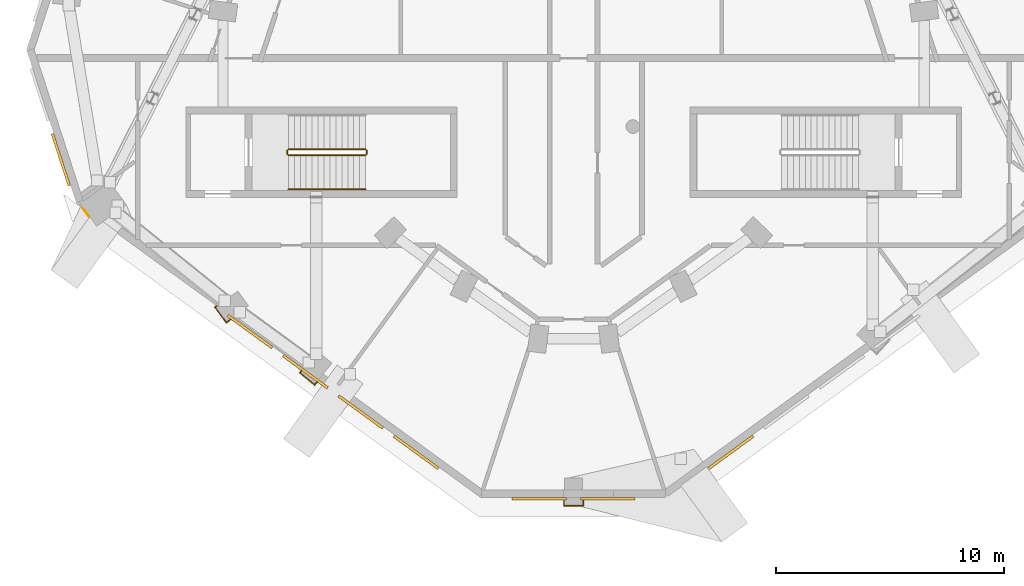
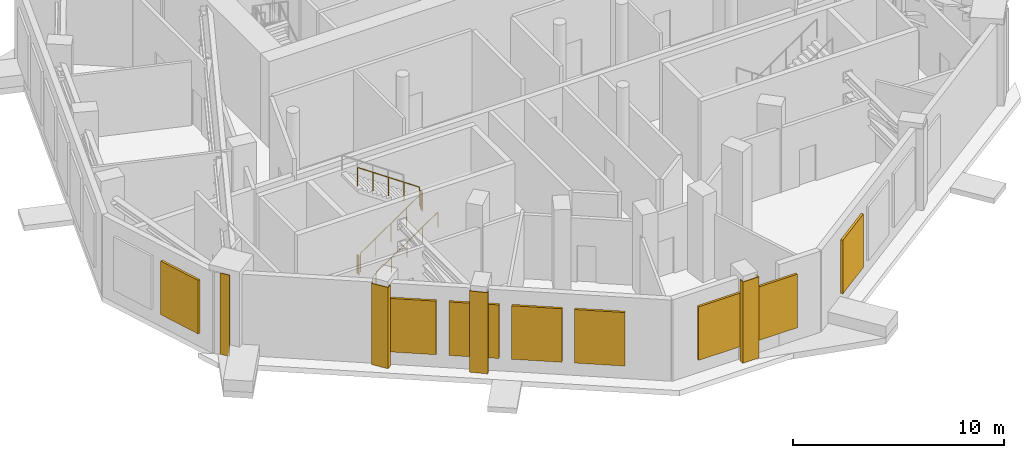
# One storey, part 12 of 16: 8 shading devices, 5 railings, 4 coverings.
"""IFC4 building model written with IfcOpenShell, lengths in metres."""

from ifc_helpers import new_model, si_unit, direction, frame, origin, origin_2d, place, context, subcontext, project, spatial, polyline, rectangle, circle, outline, extrude, material, layer, layer_set, type_object, element, save


model = new_model("IFC4")

# Units and contexts
model_context = context("Model", 3, precision=1e-05, world=origin(), true_north=direction((0.0, 1.0)))
body_context = subcontext(model_context, "Body", "Model", "MODEL_VIEW")
ifc_project = project(units=[si_unit("LENGTHUNIT", "METRE"), si_unit("AREAUNIT", "SQUARE_METRE"), si_unit("VOLUMEUNIT", "CUBIC_METRE"), si_unit("PLANEANGLEUNIT", "RADIAN"), si_unit("MASSUNIT", "GRAM", prefix="KILO")], contexts=[model_context])

# Site, building, storey
site_placement = place(None, origin())
site = spatial("IfcSite", under=ifc_project, at=site_placement, CompositionType="ELEMENT")
building_placement = place(site_placement, origin())
building = spatial("IfcBuilding", under=site, at=building_placement, Name="White Candle Pilgrim Tower", CompositionType="ELEMENT")
storey_placement = place(building_placement, frame((0.0, 0.0, 243.300048828125)))
storey = spatial("IfcBuildingStorey", under=building, at=storey_placement, Name="L57", CompositionType="ELEMENT", Elevation=243.300048828125)

# Shading devices
ifc_material_1 = material(Name="Aluminium", Category="aluminium")
shading_device_type = type_object("IfcShadingDeviceType", Name="Plant louvre LV2 2400x3100 aluminium framed", PredefinedType="USERDEFINED", material=ifc_material_1)
for number, where, z_axis, x_axis, name in (
    (1, (47.520263671875, 59.545166015625, 0.7998046875), (0.0, 0.0, 1.0), (0.309016949491, -0.951056530879, 0.0), "Plant louvre L57 W chamfer 2"),
    (2, (55.81640625, 52.012451171875, 0.7998046875), (0.0, 0.0, 1.0), (0.809017003156, -0.587785240206, 0.0), "Plant louvre L57 SW 3"),
    (3, (58.243408203125, 50.2490234375, 0.7998046875), (0.0, 0.0, 1.0), (0.809017003156, -0.587785240206, 0.0), "Plant louvre L57 SW 4"),
    (4, (60.67041015625, 48.485595703125, 0.7998046875), (0.0, 0.0, 1.0), (0.809017003156, -0.587785240206, 0.0), "Plant louvre L57 SW 5"),
    (5, (63.09765625, 46.722412109375, 0.7998046875), (0.0, 0.0, 1.0), (0.809017003156, -0.587785240206, 0.0), "Plant louvre L57 SW 6"),
    (6, (68.5, 44.686767578125, 0.7998046875), (0.0, 0.0, 1.0), (1.0, 0.0, 0.0), "Plant louvre L57 S chamfer 1"),
    (7, (71.5, 44.686767578125, 0.7998046875), (0.0, 0.0, 1.0), (1.0, 0.0, 0.0), "Plant louvre L57 S chamfer 2"),
    (8, (76.90234375, 46.722412109375, 0.7998046875), (0.0, 0.0, 1.0), (0.809017003156, 0.587785240206, 0.0), "Plant louvre L57 SE 1"),
):
    element("IfcShadingDevice", number, at=place(storey_placement, frame(where, z_axis=z_axis, x_axis=x_axis)), inside=storey, type_object=shading_device_type, Name=name, ObjectType="LOUVRE", PredefinedType="USERDEFINED", context=body_context, shape_type="SweptSolid", body=[
        extrude(rectangle(XDim=2.39990234375, YDim=0.1201171875, at=origin_2d()), origin(), (0.0, 0.0, 1.0), 3.10009765625),
    ])

# Coverings
ifc_material_2 = material(Name="Precast concrete C40/50", Category="concrete")
ifc_layer = layer(ifc_material_2, 0.0400390625)
ifc_layer_set = layer_set([ifc_layer], Name="Precast column cover CL4 40")
covering_type = type_object("IfcCoveringType", Name="Precast column cover CL4 40", PredefinedType="CLADDING", material=ifc_layer_set)
covering_1_placement = place(storey_placement, origin())
element("IfcCovering", 9, at=covering_1_placement, inside=storey, type_object=covering_type, Name="Column cover L57 T01", PredefinedType="CLADDING", context=body_context, shape_type="SweptSolid", body=[
    extrude(outline(polyline([(48.766357421875, 57.01416015625), (48.466796875, 57.42626953125), (48.571533203125, 57.35009765625), (48.791015625, 57.04833984375), (48.766357421875, 57.01416015625)])), origin(), (0.0, 0.0, 1.0), 4.699951171875),
])
covering_2_placement = place(storey_placement, origin())
element("IfcCovering", 10, at=covering_2_placement, inside=storey, type_object=covering_type, Name="Column cover L57 T02", PredefinedType="CLADDING", context=body_context, shape_type="SweptSolid", body=[
    extrude(outline(polyline([(54.9912109375, 52.53759765625), (54.771484375, 52.377685546875), (54.253662109375, 53.089111328125), (54.344970703125, 53.155517578125), (54.37890625, 53.130859375), (54.3095703125, 53.080322265625), (54.7802734375, 52.43359375), (54.957275390625, 52.5625), (54.9912109375, 52.53759765625)])), origin(), (0.0, 0.0, 1.0), 4.699951171875),
])
covering_3_placement = place(storey_placement, origin())
element("IfcCovering", 11, at=covering_3_placement, inside=storey, type_object=covering_type, Name="Column cover L57 T03", PredefinedType="CLADDING", context=body_context, shape_type="SweptSolid", body=[
    extrude(outline(polyline([(58.7705078125, 49.7919921875), (58.649658203125, 49.646484375), (57.97265625, 50.208740234375), (58.056884765625, 50.310302734375), (58.08935546875, 50.286865234375), (58.029052734375, 50.214111328125), (58.644287109375, 49.702880859375), (58.738037109375, 49.815673828125), (58.7705078125, 49.7919921875)])), origin(), (0.0, 0.0, 1.0), 4.699951171875),
])
covering_4_placement = place(storey_placement, origin())
element("IfcCovering", 12, at=covering_4_placement, inside=storey, type_object=covering_type, Name="Column cover L57 T04", PredefinedType="CLADDING", context=body_context, shape_type="SweptSolid", body=[
    extrude(outline(polyline([(70.43994140625, 44.626708984375), (70.43994140625, 44.360107421875), (69.56005859375, 44.360107421875), (69.56005859375, 44.626708984375), (69.60009765625, 44.626708984375), (69.60009765625, 44.39990234375), (70.39990234375, 44.39990234375), (70.39990234375, 44.626708984375), (70.43994140625, 44.626708984375)])), origin(), (0.0, 0.0, 1.0), 4.699951171875),
])

# Railings
ifc_material_3 = material(Name="Stainless steel", Category="steel")
railing_type_1 = type_object("IfcRailingType", Name="Stair guard stainless steel 1100 mm", PredefinedType="GUARDRAIL", material=ifc_material_3)
railing_1_placement = place(storey_placement, frame((57.5, 59.75, 0.178466796875)))
element("IfcRailing", 13, at=railing_1_placement, inside=storey, type_object=railing_type_1, Name="L57 ST5 stair guard 1", PredefinedType="GUARDRAIL", context=body_context, shape_type="SweptSolid", body=[
    extrude(circle(Radius=0.02392578125, at=origin_2d()), frame((0.0, 0.0, 1.076171875), z_axis=(0.824285065979, 0.0, 0.566174999451), x_axis=(0.0, 1.0, 0.0)), (0.0, 0.0, 1.0), 4.100341796875),
    extrude(circle(Radius=0.02099609375, at=origin_2d()), origin(), (0.0, 0.0, 1.0), 1.052001953125),
    extrude(circle(Radius=0.02099609375, at=origin_2d()), frame((0.844970703125, 0.0, 0.580322265625)), (0.0, 0.0, 1.0), 1.052001953125),
    extrude(circle(Radius=0.02099609375, at=origin_2d()), frame((1.68994140625, 0.0, 1.16064453125)), (0.0, 0.0, 1.0), 1.052001953125),
    extrude(circle(Radius=0.02099609375, at=origin_2d()), frame((2.534912109375, 0.0, 1.7412109375)), (0.0, 0.0, 1.0), 1.052001953125),
    extrude(circle(Radius=0.02099609375, at=origin_2d()), frame((3.3798828125, 0.0, 2.321533203125)), (0.0, 0.0, 1.0), 1.052001953125),
])
railing_2_placement = place(storey_placement, frame((60.929931640625, 59.800048828125, 2.5)))
element("IfcRailing", 14, at=railing_2_placement, inside=storey, type_object=railing_type_1, Name="L57 ST5 stair guard 2", PredefinedType="GUARDRAIL", context=body_context, shape_type="SweptSolid", body=[
    extrude(circle(Radius=0.02392578125, at=origin_2d()), frame((0.0, 0.0, 1.076171875), z_axis=(0.0, 1.0, 0.0), x_axis=(-1.0, 0.0, 0.0)), (0.0, 0.0, 1.0), 0.14990234375),
    extrude(circle(Radius=0.02099609375, at=origin_2d()), origin(), (0.0, 0.0, 1.0), 1.052001953125),
    extrude(circle(Radius=0.02099609375, at=origin_2d()), frame((0.0, 0.14990234375, 0.0)), (0.0, 0.0, 1.0), 1.052001953125),
])
railing_3_placement = place(storey_placement, frame((60.8798828125, 60.0, 2.678466796875)))
element("IfcRailing", 15, at=railing_3_placement, inside=storey, type_object=railing_type_1, Name="L57 ST5 stair guard 3", PredefinedType="GUARDRAIL", context=body_context, shape_type="SweptSolid", body=[
    extrude(circle(Radius=0.02392578125, at=origin_2d()), frame((0.0, 0.0, 1.076171875), z_axis=(-0.824285065979, 0.0, 0.566174999451), x_axis=(0.0, -1.0, 0.0)), (0.0, 0.0, 1.0), 4.100341796875),
    extrude(circle(Radius=0.02099609375, at=origin_2d()), origin(), (0.0, 0.0, 1.0), 1.052001953125),
    extrude(circle(Radius=0.02099609375, at=origin_2d()), frame((-0.844970703125, 0.0, 0.580322265625)), (0.0, 0.0, 1.0), 1.052001953125),
    extrude(circle(Radius=0.02099609375, at=origin_2d()), frame((-1.68994140625, 0.0, 1.16064453125)), (0.0, 0.0, 1.0), 1.052001953125),
    extrude(circle(Radius=0.02099609375, at=origin_2d()), frame((-2.534912109375, 0.0, 1.7412109375)), (0.0, 0.0, 1.0), 1.052001953125),
    extrude(circle(Radius=0.02099609375, at=origin_2d()), frame((-3.3798828125, 0.0, 2.321533203125)), (0.0, 0.0, 1.0), 1.052001953125),
])
railing_4_placement = place(storey_placement, frame((57.449951171875, 59.800048828125, 0.0)))
element("IfcRailing", 16, at=railing_4_placement, inside=storey, type_object=railing_type_1, Name="L57 ST5 stair guard 4", PredefinedType="GUARDRAIL", context=body_context, shape_type="SweptSolid", body=[
    extrude(circle(Radius=0.02392578125, at=origin_2d()), frame((0.0, 0.0, 1.076171875), z_axis=(0.0, 1.0, 0.0), x_axis=(-1.0, 0.0, 0.0)), (0.0, 0.0, 1.0), 0.14990234375),
    extrude(circle(Radius=0.02099609375, at=origin_2d()), origin(), (0.0, 0.0, 1.0), 1.052001953125),
    extrude(circle(Radius=0.02099609375, at=origin_2d()), frame((0.0, 0.14990234375, 0.0)), (0.0, 0.0, 1.0), 1.052001953125),
])
railing_type_2 = type_object("IfcRailingType", Name="Stair handrail stainless steel", PredefinedType="HANDRAIL", material=ifc_material_3)
railing_5_placement = place(storey_placement, frame((57.5, 58.25, 0.178466796875)))
element("IfcRailing", 17, at=railing_5_placement, inside=storey, type_object=railing_type_2, Name="L57 ST5 stair handrail 1", PredefinedType="HANDRAIL", context=body_context, shape_type="SweptSolid", body=[
    extrude(circle(Radius=0.02392578125, at=origin_2d()), frame((0.0, 0.0, 0.8759765625), z_axis=(0.824285065979, 0.0, 0.566174999451), x_axis=(0.0, 1.0, 0.0)), (0.0, 0.0, 1.0), 4.100341796875),
    extrude(circle(Radius=0.02099609375, at=origin_2d()), origin(), (0.0, 0.0, 1.0), 0.851806640625),
    extrude(circle(Radius=0.02099609375, at=origin_2d()), frame((0.844970703125, 0.0, 0.580322265625)), (0.0, 0.0, 1.0), 0.851806640625),
    extrude(circle(Radius=0.02099609375, at=origin_2d()), frame((1.68994140625, 0.0, 1.16064453125)), (0.0, 0.0, 1.0), 0.851806640625),
    extrude(circle(Radius=0.02099609375, at=origin_2d()), frame((2.534912109375, 0.0, 1.7412109375)), (0.0, 0.0, 1.0), 0.851806640625),
    extrude(circle(Radius=0.02099609375, at=origin_2d()), frame((3.3798828125, 0.0, 2.321533203125)), (0.0, 0.0, 1.0), 0.851806640625),
])

save(model, "model.ifc")
